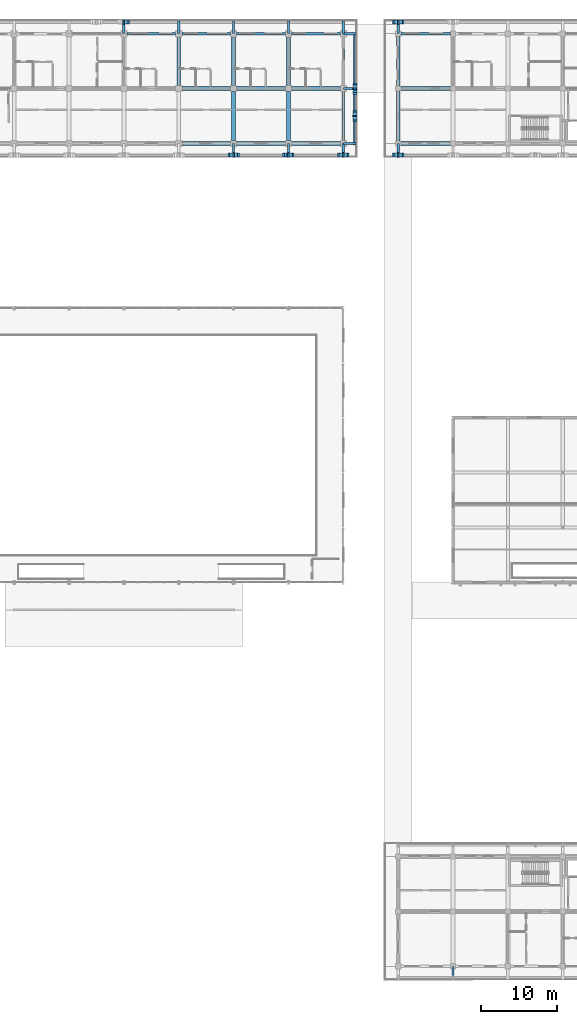
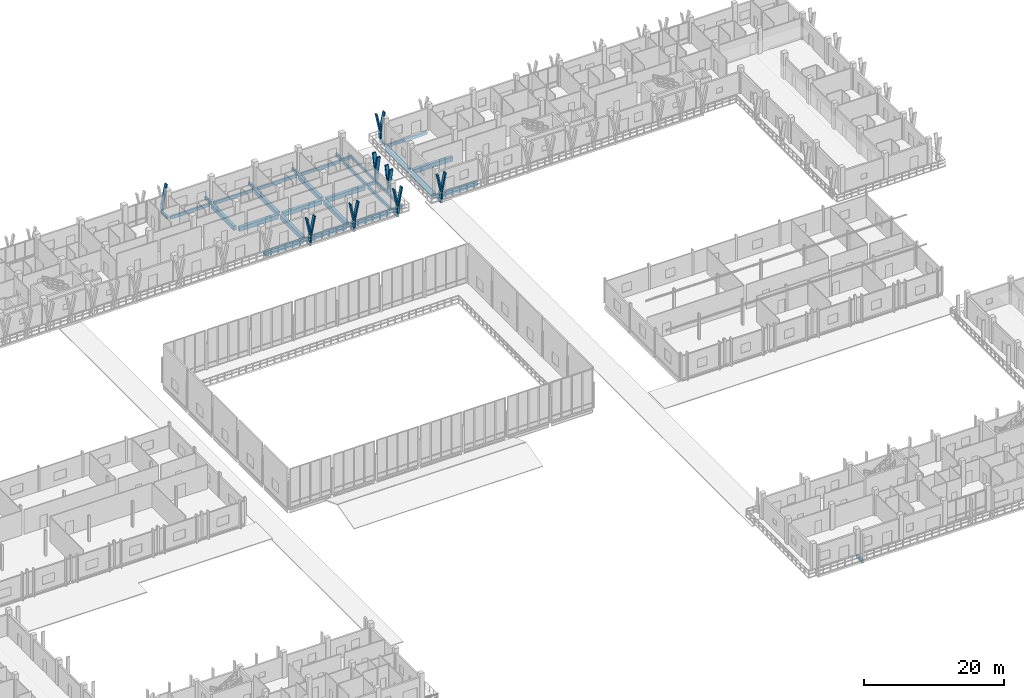
# One storey, part 44 of 110: 37 beams, 23 members.
"""IFC4 building model written with IfcOpenShell, lengths in metres."""

import ifcopenshell
import ifcopenshell.guid

model = None  # the IFC model being written
_history = None  # IfcOwnerHistory: only IFC2X3 demands one
_inside = {}  # id of a spatial element -> (the spatial element, [elements in it])
_under = {}  # id of a project, library or spatial element -> (it, [spatial elements below it])
_declared = {}  # id of a project -> (the project, [libraries it declares])
_typed = {}  # id of a type object -> (the type object, [elements of that type])
_made_of = {}  # id of a material, layer set ... -> (it, [elements and type objects made of it])


def new_model(schema):
    """Start an empty IFC model of exactly this schema.

    Asked for "IFC4X3", IfcOpenShell would pick the latest addendum, in which some entities
    have other attributes; the version numbers below select the first issue.
    IFC2X3 requires an IfcOwnerHistory on every rooted entity: one is made here for all.
    """
    global model, _history
    if schema == "IFC4X3":
        model = ifcopenshell.file(schema_version=(4, 3, 0, 0))
    else:
        model = ifcopenshell.file(schema=schema)
    _inside.clear()
    _under.clear()
    _declared.clear()
    _typed.clear()
    _made_of.clear()
    _history = None
    if model.schema == "IFC2X3":
        org = make("IfcOrganization", Name="unknown")
        user = make(
            "IfcPersonAndOrganization",
            ThePerson=make("IfcPerson", FamilyName="unknown"),
            TheOrganization=org,
        )
        app = make(
            "IfcApplication",
            ApplicationDeveloper=org,
            Version="unknown",
            ApplicationFullName="unknown",
            ApplicationIdentifier="unknown",
        )
        _history = make(
            "IfcOwnerHistory",
            OwningUser=user,
            OwningApplication=app,
            ChangeAction="ADDED",
            CreationDate=0,
        )
    return model


def make(cls, **values):
    """One entity of the class cls with the attributes given. An attribute that is None is left unset."""
    return model.create_entity(
        cls, **{name: value for name, value in values.items() if value is not None}
    )


def rooted(cls, **values):
    """An entity with a GlobalId (a new one), such as an element, a storey or a relation."""
    return make(cls, GlobalId=ifcopenshell.guid.new(), OwnerHistory=_history, **values)


def si_unit(unit_type, name, prefix=None):
    """IfcSIUnit, for example si_unit("LENGTHUNIT", "METRE", prefix="MILLI")."""
    return make("IfcSIUnit", UnitType=unit_type, Prefix=prefix, Name=name)


def assignment(units):
    """IfcUnitAssignment: the units of a project."""
    return None if units is None else make("IfcUnitAssignment", Units=units)


def point(xyz):
    """IfcCartesianPoint."""
    return None if xyz is None else make("IfcCartesianPoint", Coordinates=xyz)


def direction(xyz):
    """IfcDirection."""
    return None if xyz is None else make("IfcDirection", DirectionRatios=xyz)


def frame(location, z_axis=None, x_axis=None):
    """IfcAxis2Placement3D, a coordinate frame: its origin and axes. An axis left out is left unset."""
    return make(
        "IfcAxis2Placement3D",
        Location=point(location),
        Axis=direction(z_axis),
        RefDirection=direction(x_axis),
    )


def frame_2d(location, x_axis=None):
    """IfcAxis2Placement2D, a coordinate frame in the plane: its origin and x axis."""
    return make(
        "IfcAxis2Placement2D", Location=point(location), RefDirection=direction(x_axis)
    )


def origin():
    """The frame at (0, 0, 0) with its axes left unset."""
    return frame((0.0, 0.0, 0.0))


def origin_2d():
    """The frame at (0, 0) in the plane with its x axis left unset."""
    return frame_2d((0.0, 0.0))


def place(relative_to, where):
    """IfcLocalPlacement: puts the frame where relative to a parent placement (None: the world)."""
    return make(
        "IfcLocalPlacement", PlacementRelTo=relative_to, RelativePlacement=where
    )


def context(
    kind, dimensions, precision=None, world=None, true_north=None, identifier=None
):
    """IfcGeometricRepresentationContext, for example the 3D "Model" context."""
    return make(
        "IfcGeometricRepresentationContext",
        ContextIdentifier=identifier,
        ContextType=kind,
        CoordinateSpaceDimension=dimensions,
        Precision=precision,
        WorldCoordinateSystem=world,
        TrueNorth=true_north,
    )


def subcontext(parent, identifier, kind, view, scale=None):
    """IfcGeometricRepresentationSubContext, for example "Body" below "Model"."""
    return make(
        "IfcGeometricRepresentationSubContext",
        ContextIdentifier=identifier,
        ContextType=kind,
        ParentContext=parent,
        TargetScale=scale,
        TargetView=view,
    )


def project(units=None, contexts=None):
    """IfcProject with its units and contexts."""
    return rooted(
        "IfcProject",
        Name="project",
        RepresentationContexts=contexts,
        UnitsInContext=assignment(units),
    )


def spatial(cls, under=None, at=None, **own):
    """A site, building, storey or space (cls), placed at a placement, below another one or the project."""
    s = rooted(cls, ObjectPlacement=at, **own)
    if under is not None:
        _under.setdefault(under.id(), (under, []))[1].append(s)
    return s


def profile(cls, at=None, kind="AREA", **sizes):
    """A parametric profile (cls). Its sizes go by their IFC names, for example OverallWidth=200.0."""
    return make(cls, ProfileType=kind, Position=at, **sizes)


def rectangle(**sizes):
    """IfcRectangleProfileDef."""
    return profile("IfcRectangleProfileDef", **sizes)


def extrude(swept, where, along, depth):
    """IfcExtrudedAreaSolid: the profile swept, set in the frame where, extruded along a direction by depth."""
    return make(
        "IfcExtrudedAreaSolid",
        SweptArea=swept,
        Position=where,
        ExtrudedDirection=direction(along),
        Depth=depth,
    )


def shape(context_of_items, identifier, shape_type, items):
    """IfcShapeRepresentation: the items that make up one representation, for example the "Body"."""
    return make(
        "IfcShapeRepresentation",
        ContextOfItems=context_of_items,
        RepresentationIdentifier=identifier,
        RepresentationType=shape_type,
        Items=items,
    )


def material(Name=None, Category=None):
    """IfcMaterial."""
    return make("IfcMaterial", Name=Name, Category=Category)


def material_profile(
    of_material, cross_section, Name=None, Category=None, Priority=None
):
    """IfcMaterialProfile: a cross section and its material."""
    return make(
        "IfcMaterialProfile",
        Name=Name,
        Material=of_material,
        Profile=cross_section,
        Priority=Priority,
        Category=Category,
    )


def profile_set(profiles, Name=None, composite=None):
    """IfcMaterialProfileSet."""
    return make(
        "IfcMaterialProfileSet",
        Name=Name,
        MaterialProfiles=profiles,
        CompositeProfile=composite,
    )


def made_of(thing, what):
    """Note that an element or type object is made of a material, layer set ...; save() writes the relation."""
    if what is not None:
        _made_of.setdefault(what.id(), (what, []))[1].append(thing)
    return thing


def type_object(cls, material=None, **own):
    """A type object (cls), such as IfcWallType, which elements share."""
    return made_of(rooted(cls, **own), material)


def element(
    cls,
    number,
    at=None,
    inside=None,
    cuts=None,
    type_object=None,
    material=None,
    context=None,
    identifier="Body",
    shape_type=None,
    held_by="IfcProductDefinitionShape",
    body=None,
    shapes=None,
    **own,
):
    """One element of the class cls, such as IfcWall. Its Tag is "e" and its number.

    at: its placement. inside: the storey or other place that contains it. cuts: it is an
    opening in that element (IfcRelVoidsElement). A single representation is given by context,
    identifier, shape_type and body (its items); several are given by shapes. held_by: the class
    of the entity that holds the representations. save() writes the other relations.
    """
    e = rooted(cls, Tag="e%d" % number, ObjectPlacement=at, **own)
    if body is not None:
        shapes = [shape(context, identifier, shape_type, body)]
    if shapes is not None:
        e.Representation = make(held_by, Representations=shapes)
    if inside is not None:
        _inside.setdefault(inside.id(), (inside, []))[1].append(e)
    if cuts is not None:
        rooted(
            "IfcRelVoidsElement", RelatingBuildingElement=cuts, RelatedOpeningElement=e
        )
    if type_object is not None:
        _typed.setdefault(type_object.id(), (type_object, []))[1].append(e)
    return made_of(e, material)


def aggregate(whole, parts):
    """IfcRelAggregates: a whole, such as a stair, and the parts it consists of."""
    return rooted("IfcRelAggregates", RelatingObject=whole, RelatedObjects=parts)


def save(model, path):
    """Write the relations noted so far, then the file.

    IfcRelAggregates (storeys below a building ...), IfcRelContainedInSpatialStructure (elements
    in a storey), IfcRelDefinesByType, IfcRelAssociatesMaterial and IfcRelDeclares: one each for
    every whole, place, type object, material and project.
    """
    for whole, parts in _under.values():
        aggregate(whole, parts)
    for where, things in _inside.values():
        rooted(
            "IfcRelContainedInSpatialStructure",
            RelatedElements=things,
            RelatingStructure=where,
        )
    for kind, things in _typed.values():
        rooted("IfcRelDefinesByType", RelatedObjects=things, RelatingType=kind)
    for what, things in _made_of.values():
        rooted("IfcRelAssociatesMaterial", RelatedObjects=things, RelatingMaterial=what)
    for by, libraries in _declared.values():
        rooted("IfcRelDeclares", RelatingContext=by, RelatedDefinitions=libraries)
    model.write(path)


model = new_model("IFC4")

# Units and contexts
model_context = context("Model", 3, precision=1e-05, world=origin(), true_north=direction((0.0, 1.0)))
body_context = subcontext(model_context, "Body", "Model", "MODEL_VIEW")
ifc_project = project(units=[si_unit("LENGTHUNIT", "METRE"), si_unit("AREAUNIT", "SQUARE_METRE"), si_unit("VOLUMEUNIT", "CUBIC_METRE"), si_unit("PLANEANGLEUNIT", "RADIAN"), si_unit("MASSUNIT", "GRAM", prefix="KILO")], contexts=[model_context])

# Site, building, storey
site_placement = place(None, origin())
site = spatial("IfcSite", under=ifc_project, at=site_placement, CompositionType="ELEMENT")
building_placement = place(site_placement, origin())
building = spatial("IfcBuilding", under=site, at=building_placement, Name="Suanplinth Sawtooth Commons", CompositionType="ELEMENT")
storey_placement = place(building_placement, frame((0.0, 0.0, 4.5)))
storey = spatial("IfcBuildingStorey", under=building, at=storey_placement, Name="L01", CompositionType="ELEMENT", Elevation=4.5)

# Beams
ifc_material_1 = material(Name="Concrete C40/50", Category="concrete")
ifc_material_profile_1 = material_profile(ifc_material_1, rectangle(XDim=0.5, YDim=0.75, at=origin_2d()), Name="RC-GDR 500x750")
ifc_profile_set_1 = profile_set([ifc_material_profile_1], Name="Concrete C40/50")
beam_type_1 = type_object("IfcBeamType", Name="B-03", PredefinedType="USERDEFINED", material=ifc_profile_set_1)
for number, where, z_axis, x_axis, name in (
    (1, (94.0, 108.0, -0.675048828125), (1.0, 0.0, 0.0), (0.0, 1.0, 0.0), "BMX-L01-A-13-15"),
    (2, (94.0, 115.199951171875, -0.675048828125), (1.0, 0.0, 0.0), (0.0, 1.0, 0.0), "BMX-L01-A-13-16"),
):
    element("IfcBeam", number, at=place(storey_placement, frame(where, z_axis=z_axis, x_axis=x_axis)), inside=storey, type_object=beam_type_1, Name=name, ObjectType="GIRDER", PredefinedType="USERDEFINED", context=body_context, shape_type="SweptSolid", body=[
        extrude(rectangle(XDim=0.5, YDim=0.75, at=origin_2d()), origin(), (0.0, 0.0, 1.0), 6.39990234375),
    ])
for number, where, z_axis, x_axis, name in (
    (3, (101.199951171875, 108.0, -0.675048828125), (1.0, 0.0, 0.0), (0.0, 1.0, 0.0), "BMX-L01-A-14-15"),
    (4, (101.199951171875, 115.199951171875, -0.675048828125), (1.0, 0.0, 0.0), (0.0, 1.0, 0.0), "BMX-L01-A-14-16"),
    (5, (108.39990234375, 108.0, -0.675048828125), (1.0, 0.0, 0.0), (0.0, 1.0, 0.0), "BMX-L01-A-15-15"),
    (6, (108.39990234375, 115.199951171875, -0.675048828125), (1.0, 0.0, 0.0), (0.0, 1.0, 0.0), "BMX-L01-A-15-16"),
):
    element("IfcBeam", number, at=place(storey_placement, frame(where, z_axis=z_axis, x_axis=x_axis)), inside=storey, type_object=beam_type_1, Name=name, ObjectType="GIRDER", PredefinedType="USERDEFINED", context=body_context, shape_type="SweptSolid", body=[
        extrude(rectangle(XDim=0.5, YDim=0.75, at=origin_2d()), origin(), (0.0, 0.0, 1.0), 6.400146484375),
    ])
beam_1_placement = place(storey_placement, frame((93.60009765625, 115.60009765625, -0.675048828125), z_axis=(0.0, 1.0, 0.0), x_axis=(-1.0, 0.0, 0.0)))
element("IfcBeam", 7, at=beam_1_placement, inside=storey, type_object=beam_type_1, Name="BMY-L01-A-13-16", ObjectType="GIRDER", PredefinedType="USERDEFINED", context=body_context, shape_type="SweptSolid", body=[
    extrude(rectangle(XDim=0.5, YDim=0.75, at=origin_2d()), origin(), (0.0, 0.0, 1.0), 6.39990234375),
])
beam_2_placement = place(storey_placement, frame((100.800048828125, 108.39990234375, -0.675048828125), z_axis=(0.0, 1.0, 0.0), x_axis=(-1.0, 0.0, 0.0)))
element("IfcBeam", 8, at=beam_2_placement, inside=storey, type_object=beam_type_1, Name="BMY-L01-A-14-15", ObjectType="GIRDER", PredefinedType="USERDEFINED", context=body_context, shape_type="SweptSolid", body=[
    extrude(rectangle(XDim=0.5, YDim=0.75, at=origin_2d()), origin(), (0.0, 0.0, 1.0), 6.400146484375),
])
beam_3_placement = place(storey_placement, frame((100.800048828125, 115.60009765625, -0.675048828125), z_axis=(0.0, 1.0, 0.0), x_axis=(-1.0, 0.0, 0.0)))
element("IfcBeam", 9, at=beam_3_placement, inside=storey, type_object=beam_type_1, Name="BMY-L01-A-14-16", ObjectType="GIRDER", PredefinedType="USERDEFINED", context=body_context, shape_type="SweptSolid", body=[
    extrude(rectangle(XDim=0.5, YDim=0.75, at=origin_2d()), origin(), (0.0, 0.0, 1.0), 6.39990234375),
])
beam_4_placement = place(storey_placement, frame((108.0, 108.39990234375, -0.675048828125), z_axis=(0.0, 1.0, 0.0), x_axis=(-1.0, 0.0, 0.0)))
element("IfcBeam", 10, at=beam_4_placement, inside=storey, type_object=beam_type_1, Name="BMY-L01-A-15-15", ObjectType="GIRDER", PredefinedType="USERDEFINED", context=body_context, shape_type="SweptSolid", body=[
    extrude(rectangle(XDim=0.5, YDim=0.75, at=origin_2d()), origin(), (0.0, 0.0, 1.0), 6.400146484375),
])
beam_5_placement = place(storey_placement, frame((108.0, 115.60009765625, -0.675048828125), z_axis=(0.0, 1.0, 0.0), x_axis=(-1.0, 0.0, 0.0)))
element("IfcBeam", 11, at=beam_5_placement, inside=storey, type_object=beam_type_1, Name="BMY-L01-A-15-16", ObjectType="GIRDER", PredefinedType="USERDEFINED", context=body_context, shape_type="SweptSolid", body=[
    extrude(rectangle(XDim=0.5, YDim=0.75, at=origin_2d()), origin(), (0.0, 0.0, 1.0), 6.39990234375),
])
for number, where, z_axis, x_axis, name in (
    (12, (122.75, 108.0, -0.675048828125), (1.0, 0.0, 0.0), (0.0, 1.0, 0.0), "BMX-L01-B-17-15"),
    (13, (122.75, 115.199951171875, -0.675048828125), (1.0, 0.0, 0.0), (0.0, 1.0, 0.0), "BMX-L01-B-17-16"),
    (14, (122.39990234375, 108.35009765625, -0.675048828125), (0.0, 1.0, 0.0), (-1.0, 0.0, 0.0), "BMY-L01-B-17-15"),
    (15, (122.39990234375, 115.550048828125, -0.675048828125), (0.0, 1.0, 0.0), (-1.0, 0.0, 0.0), "BMY-L01-B-17-16"),
):
    element("IfcBeam", number, at=place(storey_placement, frame(where, z_axis=z_axis, x_axis=x_axis)), inside=storey, type_object=beam_type_1, Name=name, ObjectType="GIRDER", PredefinedType="USERDEFINED", context=body_context, shape_type="SweptSolid", body=[
        extrude(rectangle(XDim=0.5, YDim=0.75, at=origin_2d()), origin(), (0.0, 0.0, 1.0), 6.5),
    ])
ifc_material_2 = material(Name="Precast concrete C40/50", Category="concrete")
ifc_material_profile_2 = material_profile(ifc_material_2, rectangle(XDim=0.300048828125, YDim=0.5, at=origin_2d()), Name="PC-BM 300x500")
ifc_profile_set_2 = profile_set([ifc_material_profile_2], Name="Precast concrete C40/50")
beam_type_2 = type_object("IfcBeamType", Name="B-07", PredefinedType="BEAM", material=ifc_profile_set_2)
for number, where, z_axis, x_axis, name in (
    (16, (86.39990234375, 122.39990234375, -0.429931640625), (0.0, 1.0, 0.0), (-1.0, 0.0, 0.0), "Balcony Outrigger L01-A-N-12"),
    (17, (93.60009765625, 122.39990234375, -0.429931640625), (0.0, 1.0, 0.0), (-1.0, 0.0, 0.0), "Balcony Outrigger L01-A-N-13"),
    (18, (100.800048828125, 122.39990234375, -0.429931640625), (0.0, 1.0, 0.0), (-1.0, 0.0, 0.0), "Balcony Outrigger L01-A-N-14"),
    (19, (108.0, 122.39990234375, -0.429931640625), (0.0, 1.0, 0.0), (-1.0, 0.0, 0.0), "Balcony Outrigger L01-A-N-15"),
    (20, (115.199951171875, 122.39990234375, -0.429931640625), (0.0, 1.0, 0.0), (-1.0, 0.0, 0.0), "Balcony Outrigger L01-A-N-16"),
):
    element("IfcBeam", number, at=place(storey_placement, frame(where, z_axis=z_axis, x_axis=x_axis)), inside=storey, type_object=beam_type_2, Name=name, PredefinedType="BEAM", context=body_context, shape_type="SweptSolid", body=[
        extrude(rectangle(XDim=0.300048828125, YDim=0.5, at=origin_2d()), origin(), (0.0, 0.0, 1.0), 1.64013671875),
    ])
for number, where, z_axis, x_axis, name in (
    (21, (100.800048828125, 108.0, -0.429931640625), (0.0, -1.0, 0.0), (1.0, 0.0, 0.0), "Balcony Outrigger L01-A-S-14"),
    (22, (108.0, 108.0, -0.429931640625), (0.0, -1.0, 0.0), (1.0, 0.0, 0.0), "Balcony Outrigger L01-A-S-15"),
    (23, (115.199951171875, 108.0, -0.429931640625), (0.0, -1.0, 0.0), (1.0, 0.0, 0.0), "Balcony Outrigger L01-A-S-16"),
):
    element("IfcBeam", number, at=place(storey_placement, frame(where, z_axis=z_axis, x_axis=x_axis)), inside=storey, type_object=beam_type_2, Name=name, PredefinedType="BEAM", context=body_context, shape_type="SweptSolid", body=[
        extrude(rectangle(XDim=0.300048828125, YDim=0.5, at=origin_2d()), origin(), (0.0, 0.0, 1.0), 1.639892578125),
    ])
for number, where, z_axis, x_axis, name in (
    (24, (115.199951171875, 108.0, -0.429931640625), (1.0, 0.0, 0.0), (0.0, 1.0, 0.0), "Balcony Outrigger L01-A-E-15"),
    (25, (115.199951171875, 115.199951171875, -0.429931640625), (1.0, 0.0, 0.0), (0.0, 1.0, 0.0), "Balcony Outrigger L01-A-E-16"),
    (26, (115.199951171875, 122.39990234375, -0.429931640625), (1.0, 0.0, 0.0), (0.0, 1.0, 0.0), "Balcony Outrigger L01-A-E-17"),
    (27, (122.39990234375, 122.39990234375, -0.429931640625), (0.0, 1.0, 0.0), (-1.0, 0.0, 0.0), "Balcony Outrigger L01-B-N-17"),
):
    element("IfcBeam", number, at=place(storey_placement, frame(where, z_axis=z_axis, x_axis=x_axis)), inside=storey, type_object=beam_type_2, Name=name, PredefinedType="BEAM", context=body_context, shape_type="SweptSolid", body=[
        extrude(rectangle(XDim=0.300048828125, YDim=0.5, at=origin_2d()), origin(), (0.0, 0.0, 1.0), 1.64013671875),
    ])
for number, where, z_axis, x_axis, name in (
    (28, (122.39990234375, 108.0, -0.425048828125), (0.0, -1.0, 0.0), (1.0, 0.0, 0.0), "Balcony Outrigger L01-B-SC-17"),
    (29, (129.60009765625, 0.0, -0.429931640625), (0.0, -1.0, 0.0), (1.0, 0.0, 0.0), "Balcony Outrigger L01-C-S-18"),
):
    element("IfcBeam", number, at=place(storey_placement, frame(where, z_axis=z_axis, x_axis=x_axis)), inside=storey, type_object=beam_type_2, Name=name, PredefinedType="BEAM", context=body_context, shape_type="SweptSolid", body=[
        extrude(rectangle(XDim=0.300048828125, YDim=0.5, at=origin_2d()), origin(), (0.0, 0.0, 1.0), 1.639892578125),
    ])
ifc_material_profile_3 = material_profile(ifc_material_2, rectangle(XDim=0.280029296875, YDim=0.52001953125, at=origin_2d()), Name="PC-SP 280x520")
ifc_profile_set_3 = profile_set([ifc_material_profile_3], Name="Precast concrete C40/50")
beam_type_3 = type_object("IfcBeamType", Name="B-08", PredefinedType="SPANDREL", material=ifc_profile_set_3)
for number, where, z_axis, x_axis, name in (
    (30, (86.800048828125, 122.39990234375, -0.56005859375), (1.0, 0.0, 0.0), (0.0, 1.0, 0.0), "BMX-L01-A-12-17"),
    (31, (94.0, 122.39990234375, -0.56005859375), (1.0, 0.0, 0.0), (0.0, 1.0, 0.0), "BMX-L01-A-13-17"),
):
    element("IfcBeam", number, at=place(storey_placement, frame(where, z_axis=z_axis, x_axis=x_axis)), inside=storey, type_object=beam_type_3, Name=name, PredefinedType="SPANDREL", context=body_context, shape_type="SweptSolid", body=[
        extrude(rectangle(XDim=0.280029296875, YDim=0.52001953125, at=origin_2d()), origin(), (0.0, 0.0, 1.0), 6.39990234375),
    ])
for number, where, z_axis, x_axis, name in (
    (32, (101.199951171875, 122.39990234375, -0.56005859375), (1.0, 0.0, 0.0), (0.0, 1.0, 0.0), "BMX-L01-A-14-17"),
    (33, (108.39990234375, 122.39990234375, -0.56005859375), (1.0, 0.0, 0.0), (0.0, 1.0, 0.0), "BMX-L01-A-15-17"),
    (34, (115.199951171875, 108.39990234375, -0.56005859375), (0.0, 1.0, 0.0), (-1.0, 0.0, 0.0), "BMY-L01-A-16-15"),
):
    element("IfcBeam", number, at=place(storey_placement, frame(where, z_axis=z_axis, x_axis=x_axis)), inside=storey, type_object=beam_type_3, Name=name, PredefinedType="SPANDREL", context=body_context, shape_type="SweptSolid", body=[
        extrude(rectangle(XDim=0.280029296875, YDim=0.52001953125, at=origin_2d()), origin(), (0.0, 0.0, 1.0), 6.400146484375),
    ])
beam_6_placement = place(storey_placement, frame((115.199951171875, 115.60009765625, -0.56005859375), z_axis=(0.0, 1.0, 0.0), x_axis=(-1.0, 0.0, 0.0)))
element("IfcBeam", 35, at=beam_6_placement, inside=storey, type_object=beam_type_3, Name="BMY-L01-A-16-16", PredefinedType="SPANDREL", context=body_context, shape_type="SweptSolid", body=[
    extrude(rectangle(XDim=0.280029296875, YDim=0.52001953125, at=origin_2d()), origin(), (0.0, 0.0, 1.0), 6.39990234375),
])
beam_7_placement = place(storey_placement, frame((122.75, 122.39990234375, -0.56005859375), z_axis=(1.0, 0.0, 0.0), x_axis=(0.0, 1.0, 0.0)))
element("IfcBeam", 36, at=beam_7_placement, inside=storey, type_object=beam_type_3, Name="BMX-L01-B-17-17", PredefinedType="SPANDREL", context=body_context, shape_type="SweptSolid", body=[
    extrude(rectangle(XDim=0.280029296875, YDim=0.52001953125, at=origin_2d()), origin(), (0.0, 0.0, 1.0), 6.5),
])
ifc_material_profile_4 = material_profile(ifc_material_2, rectangle(XDim=0.25, YDim=0.449951171875, at=origin_2d()), Name="PC-SP 250x450")
ifc_profile_set_4 = profile_set([ifc_material_profile_4], Name="Precast concrete C40/50")
beam_type_4 = type_object("IfcBeamType", Name="B-09", PredefinedType="SPANDREL", material=ifc_profile_set_4)
beam_8_placement = place(storey_placement, frame((116.719970703125, 107.85009765625, -0.405029296875), z_axis=(0.0, 1.0, 0.0), x_axis=(-1.0, 0.0, 0.0)))
element("IfcBeam", 37, at=beam_8_placement, inside=storey, type_object=beam_type_4, Name="Balcony Edge Fascia L01-A-E", PredefinedType="SPANDREL", context=body_context, shape_type="SweptSolid", body=[
    extrude(rectangle(XDim=0.25, YDim=0.449951171875, at=origin_2d()), origin(), (0.0, 0.0, 1.0), 14.699951171875),
])

# Members
ifc_material_3 = material(Name="Pigmented precast concrete C40/50", Category="concrete")
ifc_material_profile_5 = material_profile(ifc_material_3, rectangle(XDim=0.260009765625, YDim=0.550048828125, at=origin_2d()), Name="PC-FIN 260x550")
ifc_profile_set_5 = profile_set([ifc_material_profile_5], Name="Pigmented precast concrete C40/50")
member_type_1 = type_object("IfcMemberType", Name="M-09", PredefinedType="USERDEFINED", material=ifc_profile_set_5)
for number, where, z_axis, x_axis, name in (
    (38, (86.39990234375, 123.919921875, 0.0), (0.0, 0.0, 1.0), (1.0, 0.0, 0.0), "Y-Blade Stem L01-A-N-09"),
    (39, (100.800048828125, 106.47998046875, 0.0), (0.0, 0.0, 1.0), (1.0, 0.0, 0.0), "Y-Blade Stem L01-A-S-28"),
    (40, (108.0, 106.47998046875, 0.0), (0.0, 0.0, 1.0), (1.0, 0.0, 0.0), "Y-Blade Stem L01-A-S-29"),
    (41, (115.199951171875, 106.47998046875, 0.0), (0.0, 0.0, 1.0), (1.0, 0.0, 0.0), "Y-Blade Stem L01-A-S-30"),
    (42, (116.719970703125, 111.60009765625, 0.0), (0.0, 0.0, 1.0), (0.0, 1.0, 0.0), "Y-Blade Stem L01-A-E-33"),
    (43, (116.719970703125, 115.199951171875, 0.0), (0.0, 0.0, 1.0), (0.0, 1.0, 0.0), "Y-Blade Stem L01-A-E-34"),
    (44, (122.39990234375, 123.919921875, 0.0), (0.0, 0.0, 1.0), (1.0, 0.0, 0.0), "Y-Blade Stem L01-B-N-01"),
    (45, (122.39990234375, 106.47998046875, 0.0), (0.0, 0.0, 1.0), (1.0, 0.0, 0.0), "Y-Blade Stem L01-B-SC-15"),
):
    element("IfcMember", number, at=place(storey_placement, frame(where, z_axis=z_axis, x_axis=x_axis)), inside=storey, type_object=member_type_1, Name=name, ObjectType="SHADING FIN", PredefinedType="USERDEFINED", context=body_context, shape_type="SweptSolid", body=[
        extrude(rectangle(XDim=0.260009765625, YDim=0.550048828125, at=origin_2d()), origin(), (0.0, 0.0, 1.0), 1.169921875),
    ])
ifc_material_profile_6 = material_profile(ifc_material_3, rectangle(XDim=0.219970703125, YDim=0.550048828125, at=origin_2d()), Name="PC-FIN 220x550")
ifc_profile_set_6 = profile_set([ifc_material_profile_6], Name="Pigmented precast concrete C40/50")
member_type_2 = type_object("IfcMemberType", Name="M-10", PredefinedType="USERDEFINED", material=ifc_profile_set_6)
for number, where, z_axis, x_axis, name in (
    (46, (86.39990234375, 123.919921875, 1.1298828125), (0.197582858822, 0.0, 0.980286189793), (-0.980286189793, 0.0, 0.197582858822), "Y-Blade Arm R L01-A-N-09"),
    (47, (100.800048828125, 106.47998046875, 1.1298828125), (-0.197582858822, 0.0, 0.980286189793), (0.980286189793, 0.0, 0.197582858822), "Y-Blade Arm L L01-A-S-28"),
):
    element("IfcMember", number, at=place(storey_placement, frame(where, z_axis=z_axis, x_axis=x_axis)), inside=storey, type_object=member_type_2, Name=name, ObjectType="SHADING FIN", PredefinedType="USERDEFINED", context=body_context, shape_type="SweptSolid", body=[
        extrude(rectangle(XDim=0.219970703125, YDim=0.550048828125, at=origin_2d()), origin(), (0.0, 0.0, 1.0), 3.2646484375),
    ])
member_1_placement = place(storey_placement, frame((100.800048828125, 106.47998046875, 1.1298828125), z_axis=(0.197510991436, 0.0, 0.980300672377), x_axis=(-0.980300672377, 0.0, 0.197510991436)))
element("IfcMember", 48, at=member_1_placement, inside=storey, type_object=member_type_2, Name="Y-Blade Arm R L01-A-S-28", ObjectType="SHADING FIN", PredefinedType="USERDEFINED", context=body_context, shape_type="SweptSolid", body=[
    extrude(rectangle(XDim=0.219970703125, YDim=0.550048828125, at=origin_2d()), origin(), (0.0, 0.0, 1.0), 3.264404296875),
])
for number, where, z_axis, x_axis, name in (
    (49, (108.0, 106.47998046875, 1.1298828125), (-0.197582858822, 0.0, 0.980286189793), (0.980286189793, 0.0, 0.197582858822), "Y-Blade Arm L L01-A-S-29"),
    (50, (108.0, 106.47998046875, 1.1298828125), (0.197582858822, 0.0, 0.980286189793), (-0.980286189793, 0.0, 0.197582858822), "Y-Blade Arm R L01-A-S-29"),
):
    element("IfcMember", number, at=place(storey_placement, frame(where, z_axis=z_axis, x_axis=x_axis)), inside=storey, type_object=member_type_2, Name=name, ObjectType="SHADING FIN", PredefinedType="USERDEFINED", context=body_context, shape_type="SweptSolid", body=[
        extrude(rectangle(XDim=0.219970703125, YDim=0.550048828125, at=origin_2d()), origin(), (0.0, 0.0, 1.0), 3.2646484375),
    ])
member_2_placement = place(storey_placement, frame((115.199951171875, 106.47998046875, 1.1298828125), z_axis=(-0.197510991436, 0.0, 0.980300672377), x_axis=(0.980300672377, 0.0, 0.197510991436)))
element("IfcMember", 51, at=member_2_placement, inside=storey, type_object=member_type_2, Name="Y-Blade Arm L L01-A-S-30", ObjectType="SHADING FIN", PredefinedType="USERDEFINED", context=body_context, shape_type="SweptSolid", body=[
    extrude(rectangle(XDim=0.219970703125, YDim=0.550048828125, at=origin_2d()), origin(), (0.0, 0.0, 1.0), 3.264404296875),
])
for number, where, z_axis, x_axis, name in (
    (52, (115.199951171875, 106.47998046875, 1.1298828125), (0.197582858822, 0.0, 0.980286189793), (-0.980286189793, 0.0, 0.197582858822), "Y-Blade Arm R L01-A-S-30"),
    (53, (116.719970703125, 111.60009765625, 1.1298828125), (0.0, -0.197582858822, 0.980286189793), (0.0, 0.980286189793, 0.197582858822), "Y-Blade Arm L L01-A-E-33"),
):
    element("IfcMember", number, at=place(storey_placement, frame(where, z_axis=z_axis, x_axis=x_axis)), inside=storey, type_object=member_type_2, Name=name, ObjectType="SHADING FIN", PredefinedType="USERDEFINED", context=body_context, shape_type="SweptSolid", body=[
        extrude(rectangle(XDim=0.219970703125, YDim=0.550048828125, at=origin_2d()), origin(), (0.0, 0.0, 1.0), 3.2646484375),
    ])
for number, where, z_axis, x_axis, name in (
    (54, (116.719970703125, 111.60009765625, 1.1298828125), (0.0, 0.197510991436, 0.980300672377), (0.0, -0.980300672377, 0.197510991436), "Y-Blade Arm R L01-A-E-33"),
    (55, (116.719970703125, 115.199951171875, 1.1298828125), (0.0, -0.197510991436, 0.980300672377), (0.0, 0.980300672377, 0.197510991436), "Y-Blade Arm L L01-A-E-34"),
):
    element("IfcMember", number, at=place(storey_placement, frame(where, z_axis=z_axis, x_axis=x_axis)), inside=storey, type_object=member_type_2, Name=name, ObjectType="SHADING FIN", PredefinedType="USERDEFINED", context=body_context, shape_type="SweptSolid", body=[
        extrude(rectangle(XDim=0.219970703125, YDim=0.550048828125, at=origin_2d()), origin(), (0.0, 0.0, 1.0), 3.264404296875),
    ])
member_3_placement = place(storey_placement, frame((116.719970703125, 115.199951171875, 1.1298828125), z_axis=(0.0, 0.197582858822, 0.980286189793), x_axis=(0.0, -0.980286189793, 0.197582858822)))
element("IfcMember", 56, at=member_3_placement, inside=storey, type_object=member_type_2, Name="Y-Blade Arm R L01-A-E-34", ObjectType="SHADING FIN", PredefinedType="USERDEFINED", context=body_context, shape_type="SweptSolid", body=[
    extrude(rectangle(XDim=0.219970703125, YDim=0.550048828125, at=origin_2d()), origin(), (0.0, 0.0, 1.0), 3.2646484375),
])
member_4_placement = place(storey_placement, frame((122.39990234375, 123.919921875, 1.1298828125), z_axis=(-0.197510991436, 0.0, 0.980300672377), x_axis=(0.980300672377, 0.0, 0.197510991436)))
element("IfcMember", 57, at=member_4_placement, inside=storey, type_object=member_type_2, Name="Y-Blade Arm L L01-B-N-01", ObjectType="SHADING FIN", PredefinedType="USERDEFINED", context=body_context, shape_type="SweptSolid", body=[
    extrude(rectangle(XDim=0.219970703125, YDim=0.550048828125, at=origin_2d()), origin(), (0.0, 0.0, 1.0), 3.264404296875),
])
member_5_placement = place(storey_placement, frame((122.39990234375, 123.919921875, 1.1298828125), z_axis=(0.197582858822, 0.0, 0.980286189793), x_axis=(-0.980286189793, 0.0, 0.197582858822)))
element("IfcMember", 58, at=member_5_placement, inside=storey, type_object=member_type_2, Name="Y-Blade Arm R L01-B-N-01", ObjectType="SHADING FIN", PredefinedType="USERDEFINED", context=body_context, shape_type="SweptSolid", body=[
    extrude(rectangle(XDim=0.219970703125, YDim=0.550048828125, at=origin_2d()), origin(), (0.0, 0.0, 1.0), 3.2646484375),
])
member_6_placement = place(storey_placement, frame((122.39990234375, 106.47998046875, 1.1298828125), z_axis=(-0.197510991436, 0.0, 0.980300672377), x_axis=(0.980300672377, 0.0, 0.197510991436)))
element("IfcMember", 59, at=member_6_placement, inside=storey, type_object=member_type_2, Name="Y-Blade Arm L L01-B-SC-15", ObjectType="SHADING FIN", PredefinedType="USERDEFINED", context=body_context, shape_type="SweptSolid", body=[
    extrude(rectangle(XDim=0.219970703125, YDim=0.550048828125, at=origin_2d()), origin(), (0.0, 0.0, 1.0), 3.264404296875),
])
member_7_placement = place(storey_placement, frame((122.39990234375, 106.47998046875, 1.1298828125), z_axis=(0.197582858822, 0.0, 0.980286189793), x_axis=(-0.980286189793, 0.0, 0.197582858822)))
element("IfcMember", 60, at=member_7_placement, inside=storey, type_object=member_type_2, Name="Y-Blade Arm R L01-B-SC-15", ObjectType="SHADING FIN", PredefinedType="USERDEFINED", context=body_context, shape_type="SweptSolid", body=[
    extrude(rectangle(XDim=0.219970703125, YDim=0.550048828125, at=origin_2d()), origin(), (0.0, 0.0, 1.0), 3.2646484375),
])

save(model, "model.ifc")
